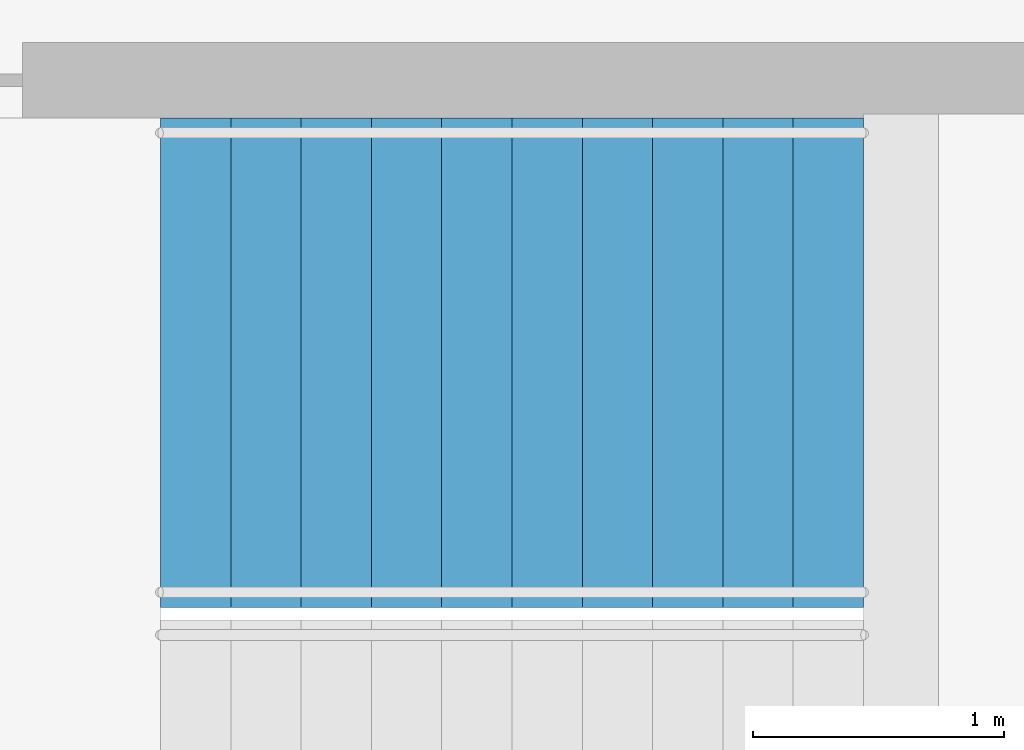
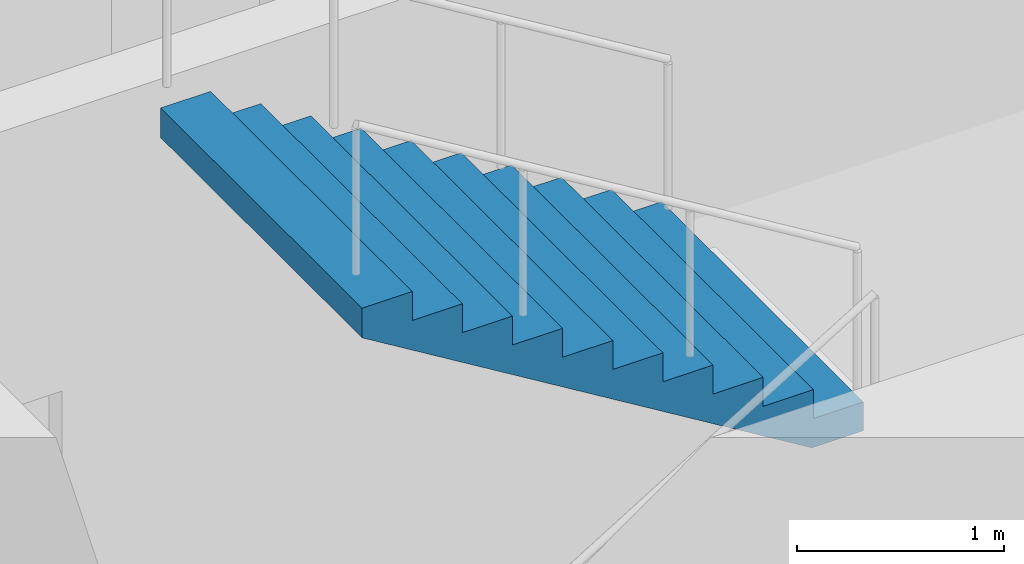
# One storey, part 23 of 28: 1 stair flight, 1 element without a shape of its own.
"""IFC4 building model written with IfcOpenShell, lengths in metres."""

from ifc_helpers import new_model, si_unit, direction, frame, origin, place, context, subcontext, project, spatial, triangles, material, type_object, element, aggregate, save


model = new_model("IFC4")

# Units and contexts
model_context = context("Model", 3, precision=1e-05, world=origin(), true_north=direction((0.0, 1.0)))
body_context = subcontext(model_context, "Body", "Model", "MODEL_VIEW")
ifc_project = project(units=[si_unit("LENGTHUNIT", "METRE"), si_unit("AREAUNIT", "SQUARE_METRE"), si_unit("VOLUMEUNIT", "CUBIC_METRE"), si_unit("PLANEANGLEUNIT", "RADIAN"), si_unit("MASSUNIT", "GRAM", prefix="KILO")], contexts=[model_context])

# Site, building, storey
site_placement = place(None, origin())
site = spatial("IfcSite", under=ifc_project, at=site_placement, CompositionType="ELEMENT")
building_placement = place(site_placement, origin())
building = spatial("IfcBuilding", under=site, at=building_placement, Name="Orbita Commons", CompositionType="ELEMENT")
storey_placement = place(building_placement, frame((0.0, 0.0, 38.949951171875)))
storey = spatial("IfcBuildingStorey", under=building, at=storey_placement, Name="L09", CompositionType="ELEMENT", Elevation=38.949951171875)

# Stair, stair flight
ifc_material_1 = material(Name="Precast concrete C40/50", Category="concrete")
stair_type = type_object("IfcStairType", Name="Exit stair S1 2 flights 11 risers 170", PredefinedType="HALF_TURN_STAIR", material=ifc_material_1)
stair_placement = place(storey_placement, origin())
stair = element("IfcStair", 1, at=stair_placement, inside=storey, type_object=stair_type, Name="Exit stair S1 L09", PredefinedType="HALF_TURN_STAIR")
ifc_material_2 = material(Name="Precast concrete C40/50", Category="concrete")
stair_flight_type = type_object("IfcStairFlightType", Name="Stair flight 11 risers 170 x 280", PredefinedType="STRAIGHT", material=ifc_material_2)
stair_flight_placement = place(storey_placement, frame((23.25, 29.27490234375, 1.875), z_axis=(0.0, 0.0, 1.0), x_axis=(-1.0, 0.0, 0.0)))
stair_flight = element("IfcStairFlight", 2, at=stair_flight_placement, type_object=stair_flight_type, Name="S1 flight 2", NumberOfRisers=11, NumberOfTreads=10, PredefinedType="STRAIGHT", RiserHeight=0.170454545, TreadLength=0.28, context=body_context, shape_type="Tessellation", body=[
    triangles([(0.0, 0.974976, 0.0), (0.0, 0.974976, 0.021307), (0.0, 0.81248, 0.021307), (0.0, 0.81248, 0.0), (0.0, 0.649984, 0.021307), (0.0, 0.649984, 0.0), (0.0, 0.487488, 0.021307), (0.0, 0.487488, 0.0), (0.0, 0.324992, 0.021307), (0.0, 0.324992, 0.0), (0.0, 0.162496, 0.021307), (0.0, 0.162496, 0.0), (0.0, 0.0, 0.021307), (0.0, 0.0, 0.0), (0.0, -0.162496, 0.021307), (0.0, -0.162496, 0.0), (0.0, -0.324992, 0.021307), (0.0, -0.324992, 0.0), (0.0, -0.487488, 0.021307), (0.0, -0.487488, 0.0), (0.0, -0.649984, 0.021307), (0.0, -0.649984, 0.0), (0.0, -0.81248, 0.021307), (0.0, -0.81248, 0.0), (0.0, -0.974976, 0.021307), (0.0, -0.974976, 0.0), (0.0, 0.974976, 0.042614), (0.0, 0.81248, 0.042614), (0.0, 0.649984, 0.042614), (0.0, 0.487488, 0.042614), (0.0, 0.324992, 0.042614), (0.0, 0.162496, 0.042614), (0.0, 0.0, 0.042614), (0.0, -0.162496, 0.042614), (0.0, -0.324992, 0.042614), (0.0, -0.487488, 0.042614), (0.0, -0.649984, 0.042614), (0.0, -0.81248, 0.042614), (0.0, -0.974976, 0.042614), (0.0, 0.974976, 0.06392), (0.0, 0.81248, 0.06392), (0.0, 0.649984, 0.06392), (0.0, 0.487488, 0.06392), (0.0, 0.324992, 0.06392), (0.0, 0.162496, 0.06392), (0.0, 0.0, 0.06392), (0.0, -0.162496, 0.06392), (0.0, -0.324992, 0.06392), (0.0, -0.487488, 0.06392), (0.0, -0.649984, 0.06392), (0.0, -0.81248, 0.06392), (0.0, -0.974976, 0.06392), (0.0, 0.974976, 0.085227), (0.0, 0.81248, 0.085227), (0.0, 0.649984, 0.085227), (0.0, 0.487488, 0.085227), (0.0, 0.324992, 0.085227), (0.0, 0.162496, 0.085227), (0.0, 0.0, 0.085227), (0.0, -0.162496, 0.085227), (0.0, -0.324992, 0.085227), (0.0, -0.487488, 0.085227), (0.0, -0.649984, 0.085227), (0.0, -0.81248, 0.085227), (0.0, -0.974976, 0.085227), (0.0, 0.974976, 0.106534), (0.0, 0.81248, 0.106534), (0.0, 0.649984, 0.106534), (0.0, 0.487488, 0.106534), (0.0, 0.324992, 0.106534), (0.0, 0.162496, 0.106534), (0.0, 0.0, 0.106534), (0.0, -0.162496, 0.106534), (0.0, -0.324992, 0.106534), (0.0, -0.487488, 0.106534), (0.0, -0.649984, 0.106534), (0.0, -0.81248, 0.106534), (0.0, -0.974976, 0.106534), (0.0, 0.974976, 0.127841), (0.0, 0.81248, 0.127841), (0.0, 0.649984, 0.127841), (0.0, 0.487488, 0.127841), (0.0, 0.324992, 0.127841), (0.0, 0.162496, 0.127841), (0.0, 0.0, 0.127841), (0.0, -0.162496, 0.127841), (0.0, -0.324992, 0.127841), (0.0, -0.487488, 0.127841), (0.0, -0.649984, 0.127841), (0.0, -0.81248, 0.127841), (0.0, -0.974976, 0.127841), (0.0, 0.974976, 0.149148), (0.0, 0.81248, 0.149148), (0.0, 0.649984, 0.149148), (0.0, 0.487488, 0.149148), (0.0, 0.324992, 0.149148), (0.0, 0.162496, 0.149148), (0.0, 0.0, 0.149148), (0.0, -0.162496, 0.149148), (0.0, -0.324992, 0.149148), (0.0, -0.487488, 0.149148), (0.0, -0.649984, 0.149148), (0.0, -0.81248, 0.149148), (0.0, -0.974976, 0.149148), (0.0, 0.974976, 0.170455), (0.0, 0.81248, 0.170455), (0.0, 0.649984, 0.170455), (0.0, 0.487488, 0.170455), (0.0, 0.324992, 0.170455), (0.0, 0.162496, 0.170455), (0.0, 0.0, 0.170455), (0.0, -0.162496, 0.170455), (0.0, -0.324992, 0.170455), (0.0, -0.487488, 0.170455), (0.0, -0.649984, 0.170455), (0.0, -0.81248, 0.170455), (0.0, -0.974976, 0.170455), (0.28, 0.974976, 0.170455), (0.28, 0.81248, 0.170455), (0.28, 0.649984, 0.170455), (0.28, 0.487488, 0.170455), (0.28, 0.324992, 0.170455), (0.28, 0.162496, 0.170455), (0.28, 0.0, 0.170455), (0.28, -0.162496, 0.170455), (0.28, -0.324992, 0.170455), (0.28, -0.487488, 0.170455), (0.28, -0.649984, 0.170455), (0.28, -0.81248, 0.170455), (0.28, -0.974976, 0.170455), (0.28, 0.974976, 0.340909), (0.28, 0.81248, 0.340909), (0.28, 0.649984, 0.340909), (0.28, 0.487488, 0.340909), (0.28, 0.324992, 0.340909), (0.28, 0.162496, 0.340909), (0.28, 0.0, 0.340909), (0.28, -0.162496, 0.340909), (0.28, -0.324992, 0.340909), (0.28, -0.487488, 0.340909), (0.28, -0.649984, 0.340909), (0.28, -0.81248, 0.340909), (0.28, -0.974976, 0.340909), (0.56, 0.974976, 0.340909), (0.56, 0.81248, 0.340909), (0.56, 0.649984, 0.340909), (0.56, 0.487488, 0.340909), (0.56, 0.324992, 0.340909), (0.56, 0.162496, 0.340909), (0.56, 0.0, 0.340909), (0.56, -0.162496, 0.340909), (0.56, -0.324992, 0.340909), (0.56, -0.487488, 0.340909), (0.56, -0.649984, 0.340909), (0.56, -0.81248, 0.340909), (0.56, -0.974976, 0.340909), (0.56, 0.974976, 0.511364), (0.56, 0.81248, 0.511364), (0.56, 0.649984, 0.511364), (0.56, 0.487488, 0.511364), (0.56, 0.324992, 0.511364), (0.56, 0.162496, 0.511364), (0.56, 0.0, 0.511364), (0.56, -0.162496, 0.511364), (0.56, -0.324992, 0.511364), (0.56, -0.487488, 0.511364), (0.56, -0.649984, 0.511364), (0.56, -0.81248, 0.511364), (0.56, -0.974976, 0.511364), (0.84, 0.974976, 0.511364), (0.84, 0.81248, 0.511364), (0.84, 0.649984, 0.511364), (0.84, 0.487488, 0.511364), (0.84, 0.324992, 0.511364), (0.84, 0.162496, 0.511364), (0.84, 0.0, 0.511364), (0.84, -0.162496, 0.511364), (0.84, -0.324992, 0.511364), (0.84, -0.487488, 0.511364), (0.84, -0.649984, 0.511364), (0.84, -0.81248, 0.511364), (0.84, -0.974976, 0.511364), (0.84, 0.974976, 0.681818), (0.84, 0.81248, 0.681818), (0.84, 0.649984, 0.681818), (0.84, 0.487488, 0.681818), (0.84, 0.324992, 0.681818), (0.84, 0.162496, 0.681818), (0.84, 0.0, 0.681818), (0.84, -0.162496, 0.681818), (0.84, -0.324992, 0.681818), (0.84, -0.487488, 0.681818), (0.84, -0.649984, 0.681818), (0.84, -0.81248, 0.681818), (0.84, -0.974976, 0.681818), (1.12, 0.974976, 0.681818), (1.12, 0.81248, 0.681818), (1.12, 0.649984, 0.681818), (1.12, 0.487488, 0.681818), (1.12, 0.324992, 0.681818), (1.12, 0.162496, 0.681818), (1.12, 0.0, 0.681818), (1.12, -0.162496, 0.681818), (1.12, -0.324992, 0.681818), (1.12, -0.487488, 0.681818), (1.12, -0.649984, 0.681818), (1.12, -0.81248, 0.681818), (1.12, -0.974976, 0.681818), (1.12, 0.974976, 0.852273), (1.12, 0.81248, 0.852273), (1.12, 0.649984, 0.852273), (1.12, 0.487488, 0.852273), (1.12, 0.324992, 0.852273), (1.12, 0.162496, 0.852273), (1.12, 0.0, 0.852273), (1.12, -0.162496, 0.852273), (1.12, -0.324992, 0.852273), (1.12, -0.487488, 0.852273), (1.12, -0.649984, 0.852273), (1.12, -0.81248, 0.852273), (1.12, -0.974976, 0.852273), (1.4, 0.974976, 0.852273), (1.4, 0.81248, 0.852273), (1.4, 0.649984, 0.852273), (1.4, 0.487488, 0.852273), (1.4, 0.324992, 0.852273), (1.4, 0.162496, 0.852273), (1.4, 0.0, 0.852273), (1.4, -0.162496, 0.852273), (1.4, -0.324992, 0.852273), (1.4, -0.487488, 0.852273), (1.4, -0.649984, 0.852273), (1.4, -0.81248, 0.852273), (1.4, -0.974976, 0.852273), (1.4, 0.974976, 1.022727), (1.4, 0.81248, 1.022727), (1.4, 0.649984, 1.022727), (1.4, 0.487488, 1.022727), (1.4, 0.324992, 1.022727), (1.4, 0.162496, 1.022727), (1.4, 0.0, 1.022727), (1.4, -0.162496, 1.022727), (1.4, -0.324992, 1.022727), (1.4, -0.487488, 1.022727), (1.4, -0.649984, 1.022727), (1.4, -0.81248, 1.022727), (1.4, -0.974976, 1.022727), (1.68, 0.974976, 1.022727), (1.68, 0.81248, 1.022727), (1.68, 0.649984, 1.022727), (1.68, 0.487488, 1.022727), (1.68, 0.324992, 1.022727), (1.68, 0.162496, 1.022727), (1.68, 0.0, 1.022727), (1.68, -0.162496, 1.022727), (1.68, -0.324992, 1.022727), (1.68, -0.487488, 1.022727), (1.68, -0.649984, 1.022727), (1.68, -0.81248, 1.022727), (1.68, -0.974976, 1.022727), (1.68, 0.974976, 1.193182), (1.68, 0.81248, 1.193182), (1.68, 0.649984, 1.193182), (1.68, 0.487488, 1.193182), (1.68, 0.324992, 1.193182), (1.68, 0.162496, 1.193182), (1.68, 0.0, 1.193182), (1.68, -0.162496, 1.193182), (1.68, -0.324992, 1.193182), (1.68, -0.487488, 1.193182), (1.68, -0.649984, 1.193182), (1.68, -0.81248, 1.193182), (1.68, -0.974976, 1.193182), (1.96, 0.974976, 1.193182), (1.96, 0.81248, 1.193182), (1.96, 0.649984, 1.193182), (1.96, 0.487488, 1.193182), (1.96, 0.324992, 1.193182), (1.96, 0.162496, 1.193182), (1.96, 0.0, 1.193182), (1.96, -0.162496, 1.193182), (1.96, -0.324992, 1.193182), (1.96, -0.487488, 1.193182), (1.96, -0.649984, 1.193182), (1.96, -0.81248, 1.193182), (1.96, -0.974976, 1.193182), (1.96, 0.974976, 1.363636), (1.96, 0.81248, 1.363636), (1.96, 0.649984, 1.363636), (1.96, 0.487488, 1.363636), (1.96, 0.324992, 1.363636), (1.96, 0.162496, 1.363636), (1.96, 0.0, 1.363636), (1.96, -0.162496, 1.363636), (1.96, -0.324992, 1.363636), (1.96, -0.487488, 1.363636), (1.96, -0.649984, 1.363636), (1.96, -0.81248, 1.363636), (1.96, -0.974976, 1.363636), (2.24, 0.974976, 1.363636), (2.24, 0.81248, 1.363636), (2.24, 0.649984, 1.363636), (2.24, 0.487488, 1.363636), (2.24, 0.324992, 1.363636), (2.24, 0.162496, 1.363636), (2.24, 0.0, 1.363636), (2.24, -0.162496, 1.363636), (2.24, -0.324992, 1.363636), (2.24, -0.487488, 1.363636), (2.24, -0.649984, 1.363636), (2.24, -0.81248, 1.363636), (2.24, -0.974976, 1.363636), (2.24, 0.974976, 1.534091), (2.24, 0.81248, 1.534091), (2.24, 0.649984, 1.534091), (2.24, 0.487488, 1.534091), (2.24, 0.324992, 1.534091), (2.24, 0.162496, 1.534091), (2.24, 0.0, 1.534091), (2.24, -0.162496, 1.534091), (2.24, -0.324992, 1.534091), (2.24, -0.487488, 1.534091), (2.24, -0.649984, 1.534091), (2.24, -0.81248, 1.534091), (2.24, -0.974976, 1.534091), (2.52, 0.974976, 1.534091), (2.52, 0.81248, 1.534091), (2.52, 0.649984, 1.534091), (2.52, 0.487488, 1.534091), (2.52, 0.324992, 1.534091), (2.52, 0.162496, 1.534091), (2.52, 0.0, 1.534091), (2.52, -0.162496, 1.534091), (2.52, -0.324992, 1.534091), (2.52, -0.487488, 1.534091), (2.52, -0.649984, 1.534091), (2.52, -0.81248, 1.534091), (2.52, -0.974976, 1.534091), (2.52, 0.974976, 1.704545), (2.52, 0.81248, 1.704545), (2.52, 0.649984, 1.704545), (2.52, 0.487488, 1.704545), (2.52, 0.324992, 1.704545), (2.52, 0.162496, 1.704545), (2.52, 0.0, 1.704545), (2.52, -0.162496, 1.704545), (2.52, -0.324992, 1.704545), (2.52, -0.487488, 1.704545), (2.52, -0.649984, 1.704545), (2.52, -0.81248, 1.704545), (2.52, -0.974976, 1.704545), (2.8, 0.974976, 1.704545), (2.8, 0.81248, 1.704545), (2.8, 0.649984, 1.704545), (2.8, 0.487488, 1.704545), (2.8, 0.324992, 1.704545), (2.8, 0.162496, 1.704545), (2.8, 0.0, 1.704545), (2.8, -0.162496, 1.704545), (2.8, -0.324992, 1.704545), (2.8, -0.487488, 1.704545), (2.8, -0.649984, 1.704545), (2.8, -0.81248, 1.704545), (2.8, -0.974976, 1.704545), (2.8, 0.974976, 1.682609), (2.8, 0.81248, 1.682609), (2.8, 0.649984, 1.682609), (2.8, 0.487488, 1.682609), (2.8, 0.324992, 1.682609), (2.8, 0.162496, 1.682609), (2.8, 0.0, 1.682609), (2.8, -0.162496, 1.682609), (2.8, -0.324992, 1.682609), (2.8, -0.487488, 1.682609), (2.8, -0.649984, 1.682609), (2.8, -0.81248, 1.682609), (2.8, -0.974976, 1.682609), (2.8, 0.974976, 1.660672), (2.8, 0.81248, 1.660672), (2.8, 0.649984, 1.660672), (2.8, 0.487488, 1.660672), (2.8, 0.324992, 1.660672), (2.8, 0.162496, 1.660672), (2.8, 0.0, 1.660672), (2.8, -0.162496, 1.660672), (2.8, -0.324992, 1.660672), (2.8, -0.487488, 1.660672), (2.8, -0.649984, 1.660672), (2.8, -0.81248, 1.660672), (2.8, -0.974976, 1.660672), (2.8, 0.974976, 1.638735), (2.8, 0.81248, 1.638735), (2.8, 0.649984, 1.638735), (2.8, 0.487488, 1.638735), (2.8, 0.324992, 1.638735), (2.8, 0.162496, 1.638735), (2.8, 0.0, 1.638735), (2.8, -0.162496, 1.638735), (2.8, -0.324992, 1.638735), (2.8, -0.487488, 1.638735), (2.8, -0.649984, 1.638735), (2.8, -0.81248, 1.638735), (2.8, -0.974976, 1.638735), (2.8, 0.974976, 1.616798), (2.8, 0.81248, 1.616798), (2.8, 0.649984, 1.616798), (2.8, 0.487488, 1.616798), (2.8, 0.324992, 1.616798), (2.8, 0.162496, 1.616798), (2.8, 0.0, 1.616798), (2.8, -0.162496, 1.616798), (2.8, -0.324992, 1.616798), (2.8, -0.487488, 1.616798), (2.8, -0.649984, 1.616798), (2.8, -0.81248, 1.616798), (2.8, -0.974976, 1.616798), (2.8, 0.974976, 1.594861), (2.8, 0.81248, 1.594861), (2.8, 0.649984, 1.594861), (2.8, 0.487488, 1.594861), (2.8, 0.324992, 1.594861), (2.8, 0.162496, 1.594861), (2.8, 0.0, 1.594861), (2.8, -0.162496, 1.594861), (2.8, -0.324992, 1.594861), (2.8, -0.487488, 1.594861), (2.8, -0.649984, 1.594861), (2.8, -0.81248, 1.594861), (2.8, -0.974976, 1.594861), (2.8, 0.974976, 1.572925), (2.8, 0.81248, 1.572925), (2.8, 0.649984, 1.572925), (2.8, 0.487488, 1.572925), (2.8, 0.324992, 1.572925), (2.8, 0.162496, 1.572925), (2.8, 0.0, 1.572925), (2.8, -0.162496, 1.572925), (2.8, -0.324992, 1.572925), (2.8, -0.487488, 1.572925), (2.8, -0.649984, 1.572925), (2.8, -0.81248, 1.572925), (2.8, -0.974976, 1.572925), (2.8, 0.974976, 1.550988), (2.8, 0.81248, 1.550988), (2.8, 0.649984, 1.550988), (2.8, 0.487488, 1.550988), (2.8, 0.324992, 1.550988), (2.8, 0.162496, 1.550988), (2.8, 0.0, 1.550988), (2.8, -0.162496, 1.550988), (2.8, -0.324992, 1.550988), (2.8, -0.487488, 1.550988), (2.8, -0.649984, 1.550988), (2.8, -0.81248, 1.550988), (2.8, -0.974976, 1.550988), (2.8, 0.974976, 1.529051), (2.8, 0.81248, 1.529051), (2.8, 0.649984, 1.529051), (2.8, 0.487488, 1.529051), (2.8, 0.324992, 1.529051), (2.8, 0.162496, 1.529051), (2.8, 0.0, 1.529051), (2.8, -0.162496, 1.529051), (2.8, -0.324992, 1.529051), (2.8, -0.487488, 1.529051), (2.8, -0.649984, 1.529051), (2.8, -0.81248, 1.529051), (2.8, -0.974976, 1.529051), (0.288279, 0.974976, 0.0), (0.288279, 0.81248, 0.0), (0.288279, 0.649984, 0.0), (0.288279, 0.487488, 0.0), (0.288279, 0.324992, 0.0), (0.288279, 0.162496, 0.0), (0.288279, 0.0, 0.0), (0.288279, -0.162496, 0.0), (0.288279, -0.324992, 0.0), (0.288279, -0.487488, 0.0), (0.288279, -0.649984, 0.0), (0.288279, -0.81248, 0.0), (0.288279, -0.974976, 0.0)], [[3, 2, 1], [4, 3, 1], [5, 3, 4], [6, 5, 4], [7, 5, 6], [8, 7, 6], [9, 7, 8], [10, 9, 8], [11, 9, 10], [12, 11, 10], [13, 11, 12], [14, 13, 12], [15, 13, 14], [16, 15, 14], [17, 15, 16], [18, 17, 16], [19, 17, 18], [20, 19, 18], [21, 19, 20], [22, 21, 20], [23, 21, 22], [24, 23, 22], [25, 23, 24], [26, 25, 24], [28, 27, 2], [3, 28, 2], [29, 28, 3], [5, 29, 3], [30, 29, 5], [7, 30, 5], [31, 30, 7], [9, 31, 7], [32, 31, 9], [11, 32, 9], [33, 32, 11], [13, 33, 11], [34, 33, 13], [15, 34, 13], [35, 34, 15], [17, 35, 15], [36, 35, 17], [19, 36, 17], [37, 36, 19], [21, 37, 19], [38, 37, 21], [23, 38, 21], [39, 38, 23], [25, 39, 23], [41, 40, 27], [28, 41, 27], [42, 41, 28], [29, 42, 28], [43, 42, 29], [30, 43, 29], [44, 43, 30], [31, 44, 30], [45, 44, 31], [32, 45, 31], [46, 45, 32], [33, 46, 32], [47, 46, 33], [34, 47, 33], [48, 47, 34], [35, 48, 34], [49, 48, 35], [36, 49, 35], [50, 49, 36], [37, 50, 36], [51, 50, 37], [38, 51, 37], [52, 51, 38], [39, 52, 38], [54, 53, 40], [41, 54, 40], [55, 54, 41], [42, 55, 41], [56, 55, 42], [43, 56, 42], [57, 56, 43], [44, 57, 43], [58, 57, 44], [45, 58, 44], [59, 58, 45], [46, 59, 45], [60, 59, 46], [47, 60, 46], [61, 60, 47], [48, 61, 47], [62, 61, 48], [49, 62, 48], [63, 62, 49], [50, 63, 49], [64, 63, 50], [51, 64, 50], [65, 64, 51], [52, 65, 51], [67, 66, 53], [54, 67, 53], [68, 67, 54], [55, 68, 54], [69, 68, 55], [56, 69, 55], [70, 69, 56], [57, 70, 56], [71, 70, 57], [58, 71, 57], [72, 71, 58], [59, 72, 58], [73, 72, 59], [60, 73, 59], [74, 73, 60], [61, 74, 60], [75, 74, 61], [62, 75, 61], [76, 75, 62], [63, 76, 62], [77, 76, 63], [64, 77, 63], [78, 77, 64], [65, 78, 64], [80, 79, 66], [67, 80, 66], [81, 80, 67], [68, 81, 67], [82, 81, 68], [69, 82, 68], [83, 82, 69], [70, 83, 69], [84, 83, 70], [71, 84, 70], [85, 84, 71], [72, 85, 71], [86, 85, 72], [73, 86, 72], [87, 86, 73], [74, 87, 73], [88, 87, 74], [75, 88, 74], [89, 88, 75], [76, 89, 75], [90, 89, 76], [77, 90, 76], [91, 90, 77], [78, 91, 77], [93, 92, 79], [80, 93, 79], [94, 93, 80], [81, 94, 80], [95, 94, 81], [82, 95, 81], [96, 95, 82], [83, 96, 82], [97, 96, 83], [84, 97, 83], [98, 97, 84], [85, 98, 84], [99, 98, 85], [86, 99, 85], [100, 99, 86], [87, 100, 86], [101, 100, 87], [88, 101, 87], [102, 101, 88], [89, 102, 88], [103, 102, 89], [90, 103, 89], [104, 103, 90], [91, 104, 90], [106, 105, 92], [93, 106, 92], [107, 106, 93], [94, 107, 93], [108, 107, 94], [95, 108, 94], [109, 108, 95], [96, 109, 95], [110, 109, 96], [97, 110, 96], [111, 110, 97], [98, 111, 97], [112, 111, 98], [99, 112, 98], [113, 112, 99], [100, 113, 99], [114, 113, 100], [101, 114, 100], [115, 114, 101], [102, 115, 101], [116, 115, 102], [103, 116, 102], [117, 116, 103], [104, 117, 103], [119, 118, 105], [106, 119, 105], [120, 119, 106], [107, 120, 106], [121, 120, 107], [108, 121, 107], [122, 121, 108], [109, 122, 108], [123, 122, 109], [110, 123, 109], [124, 123, 110], [111, 124, 110], [125, 124, 111], [112, 125, 111], [126, 125, 112], [113, 126, 112], [127, 126, 113], [114, 127, 113], [128, 127, 114], [115, 128, 114], [129, 128, 115], [116, 129, 115], [130, 129, 116], [117, 130, 116], [132, 131, 118], [119, 132, 118], [133, 132, 119], [120, 133, 119], [134, 133, 120], [121, 134, 120], [135, 134, 121], [122, 135, 121], [136, 135, 122], [123, 136, 122], [137, 136, 123], [124, 137, 123], [138, 137, 124], [125, 138, 124], [139, 138, 125], [126, 139, 125], [140, 139, 126], [127, 140, 126], [141, 140, 127], [128, 141, 127], [142, 141, 128], [129, 142, 128], [143, 142, 129], [130, 143, 129], [145, 144, 131], [132, 145, 131], [146, 145, 132], [133, 146, 132], [147, 146, 133], [134, 147, 133], [148, 147, 134], [135, 148, 134], [149, 148, 135], [136, 149, 135], [150, 149, 136], [137, 150, 136], [151, 150, 137], [138, 151, 137], [152, 151, 138], [139, 152, 138], [153, 152, 139], [140, 153, 139], [154, 153, 140], [141, 154, 140], [155, 154, 141], [142, 155, 141], [156, 155, 142], [143, 156, 142], [158, 157, 144], [145, 158, 144], [159, 158, 145], [146, 159, 145], [160, 159, 146], [147, 160, 146], [161, 160, 147], [148, 161, 147], [162, 161, 148], [149, 162, 148], [163, 162, 149], [150, 163, 149], [164, 163, 150], [151, 164, 150], [165, 164, 151], [152, 165, 151], [166, 165, 152], [153, 166, 152], [167, 166, 153], [154, 167, 153], [168, 167, 154], [155, 168, 154], [169, 168, 155], [156, 169, 155], [171, 170, 157], [158, 171, 157], [172, 171, 158], [159, 172, 158], [173, 172, 159], [160, 173, 159], [174, 173, 160], [161, 174, 160], [175, 174, 161], [162, 175, 161], [176, 175, 162], [163, 176, 162], [177, 176, 163], [164, 177, 163], [178, 177, 164], [165, 178, 164], [179, 178, 165], [166, 179, 165], [180, 179, 166], [167, 180, 166], [181, 180, 167], [168, 181, 167], [182, 181, 168], [169, 182, 168], [184, 183, 170], [171, 184, 170], [185, 184, 171], [172, 185, 171], [186, 185, 172], [173, 186, 172], [187, 186, 173], [174, 187, 173], [188, 187, 174], [175, 188, 174], [189, 188, 175], [176, 189, 175], [190, 189, 176], [177, 190, 176], [191, 190, 177], [178, 191, 177], [192, 191, 178], [179, 192, 178], [193, 192, 179], [180, 193, 179], [194, 193, 180], [181, 194, 180], [195, 194, 181], [182, 195, 181], [197, 196, 183], [184, 197, 183], [198, 197, 184], [185, 198, 184], [199, 198, 185], [186, 199, 185], [200, 199, 186], [187, 200, 186], [201, 200, 187], [188, 201, 187], [202, 201, 188], [189, 202, 188], [203, 202, 189], [190, 203, 189], [204, 203, 190], [191, 204, 190], [205, 204, 191], [192, 205, 191], [206, 205, 192], [193, 206, 192], [207, 206, 193], [194, 207, 193], [208, 207, 194], [195, 208, 194], [210, 209, 196], [197, 210, 196], [211, 210, 197], [198, 211, 197], [212, 211, 198], [199, 212, 198], [213, 212, 199], [200, 213, 199], [214, 213, 200], [201, 214, 200], [215, 214, 201], [202, 215, 201], [216, 215, 202], [203, 216, 202], [217, 216, 203], [204, 217, 203], [218, 217, 204], [205, 218, 204], [219, 218, 205], [206, 219, 205], [220, 219, 206], [207, 220, 206], [221, 220, 207], [208, 221, 207], [223, 222, 209], [210, 223, 209], [224, 223, 210], [211, 224, 210], [225, 224, 211], [212, 225, 211], [226, 225, 212], [213, 226, 212], [227, 226, 213], [214, 227, 213], [228, 227, 214], [215, 228, 214], [229, 228, 215], [216, 229, 215], [230, 229, 216], [217, 230, 216], [231, 230, 217], [218, 231, 217], [232, 231, 218], [219, 232, 218], [233, 232, 219], [220, 233, 219], [234, 233, 220], [221, 234, 220], [236, 235, 222], [223, 236, 222], [237, 236, 223], [224, 237, 223], [238, 237, 224], [225, 238, 224], [239, 238, 225], [226, 239, 225], [240, 239, 226], [227, 240, 226], [241, 240, 227], [228, 241, 227], [242, 241, 228], [229, 242, 228], [243, 242, 229], [230, 243, 229], [244, 243, 230], [231, 244, 230], [245, 244, 231], [232, 245, 231], [246, 245, 232], [233, 246, 232], [247, 246, 233], [234, 247, 233], [249, 248, 235], [236, 249, 235], [250, 249, 236], [237, 250, 236], [251, 250, 237], [238, 251, 237], [252, 251, 238], [239, 252, 238], [253, 252, 239], [240, 253, 239], [254, 253, 240], [241, 254, 240], [255, 254, 241], [242, 255, 241], [256, 255, 242], [243, 256, 242], [257, 256, 243], [244, 257, 243], [258, 257, 244], [245, 258, 244], [259, 258, 245], [246, 259, 245], [260, 259, 246], [247, 260, 246], [262, 261, 248], [249, 262, 248], [263, 262, 249], [250, 263, 249], [264, 263, 250], [251, 264, 250], [265, 264, 251], [252, 265, 251], [266, 265, 252], [253, 266, 252], [267, 266, 253], [254, 267, 253], [268, 267, 254], [255, 268, 254], [269, 268, 255], [256, 269, 255], [270, 269, 256], [257, 270, 256], [271, 270, 257], [258, 271, 257], [272, 271, 258], [259, 272, 258], [273, 272, 259], [260, 273, 259], [275, 274, 261], [262, 275, 261], [276, 275, 262], [263, 276, 262], [277, 276, 263], [264, 277, 263], [278, 277, 264], [265, 278, 264], [279, 278, 265], [266, 279, 265], [280, 279, 266], [267, 280, 266], [281, 280, 267], [268, 281, 267], [282, 281, 268], [269, 282, 268], [283, 282, 269], [270, 283, 269], [284, 283, 270], [271, 284, 270], [285, 284, 271], [272, 285, 271], [286, 285, 272], [273, 286, 272], [288, 287, 274], [275, 288, 274], [289, 288, 275], [276, 289, 275], [290, 289, 276], [277, 290, 276], [291, 290, 277], [278, 291, 277], [292, 291, 278], [279, 292, 278], [293, 292, 279], [280, 293, 279], [294, 293, 280], [281, 294, 280], [295, 294, 281], [282, 295, 281], [296, 295, 282], [283, 296, 282], [297, 296, 283], [284, 297, 283], [298, 297, 284], [285, 298, 284], [299, 298, 285], [286, 299, 285], [301, 300, 287], [288, 301, 287], [302, 301, 288], [289, 302, 288], [303, 302, 289], [290, 303, 289], [304, 303, 290], [291, 304, 290], [305, 304, 291], [292, 305, 291], [306, 305, 292], [293, 306, 292], [307, 306, 293], [294, 307, 293], [308, 307, 294], [295, 308, 294], [309, 308, 295], [296, 309, 295], [310, 309, 296], [297, 310, 296], [311, 310, 297], [298, 311, 297], [312, 311, 298], [299, 312, 298], [314, 313, 300], [301, 314, 300], [315, 314, 301], [302, 315, 301], [316, 315, 302], [303, 316, 302], [317, 316, 303], [304, 317, 303], [318, 317, 304], [305, 318, 304], [319, 318, 305], [306, 319, 305], [320, 319, 306], [307, 320, 306], [321, 320, 307], [308, 321, 307], [322, 321, 308], [309, 322, 308], [323, 322, 309], [310, 323, 309], [324, 323, 310], [311, 324, 310], [325, 324, 311], [312, 325, 311], [327, 326, 313], [314, 327, 313], [328, 327, 314], [315, 328, 314], [329, 328, 315], [316, 329, 315], [330, 329, 316], [317, 330, 316], [331, 330, 317], [318, 331, 317], [332, 331, 318], [319, 332, 318], [333, 332, 319], [320, 333, 319], [334, 333, 320], [321, 334, 320], [335, 334, 321], [322, 335, 321], [336, 335, 322], [323, 336, 322], [337, 336, 323], [324, 337, 323], [338, 337, 324], [325, 338, 324], [340, 339, 326], [327, 340, 326], [341, 340, 327], [328, 341, 327], [342, 341, 328], [329, 342, 328], [343, 342, 329], [330, 343, 329], [344, 343, 330], [331, 344, 330], [345, 344, 331], [332, 345, 331], [346, 345, 332], [333, 346, 332], [347, 346, 333], [334, 347, 333], [348, 347, 334], [335, 348, 334], [349, 348, 335], [336, 349, 335], [350, 349, 336], [337, 350, 336], [351, 350, 337], [338, 351, 337], [353, 352, 339], [340, 353, 339], [354, 353, 340], [341, 354, 340], [355, 354, 341], [342, 355, 341], [356, 355, 342], [343, 356, 342], [357, 356, 343], [344, 357, 343], [358, 357, 344], [345, 358, 344], [359, 358, 345], [346, 359, 345], [360, 359, 346], [347, 360, 346], [361, 360, 347], [348, 361, 347], [362, 361, 348], [349, 362, 348], [363, 362, 349], [350, 363, 349], [364, 363, 350], [351, 364, 350], [366, 365, 352], [353, 366, 352], [367, 366, 353], [354, 367, 353], [368, 367, 354], [355, 368, 354], [369, 368, 355], [356, 369, 355], [370, 369, 356], [357, 370, 356], [371, 370, 357], [358, 371, 357], [372, 371, 358], [359, 372, 358], [373, 372, 359], [360, 373, 359], [374, 373, 360], [361, 374, 360], [375, 374, 361], [362, 375, 361], [376, 375, 362], [363, 376, 362], [377, 376, 363], [364, 377, 363], [379, 378, 365], [366, 379, 365], [380, 379, 366], [367, 380, 366], [381, 380, 367], [368, 381, 367], [382, 381, 368], [369, 382, 368], [383, 382, 369], [370, 383, 369], [384, 383, 370], [371, 384, 370], [385, 384, 371], [372, 385, 371], [386, 385, 372], [373, 386, 372], [387, 386, 373], [374, 387, 373], [388, 387, 374], [375, 388, 374], [389, 388, 375], [376, 389, 375], [390, 389, 376], [377, 390, 376], [392, 391, 378], [379, 392, 378], [393, 392, 379], [380, 393, 379], [394, 393, 380], [381, 394, 380], [395, 394, 381], [382, 395, 381], [396, 395, 382], [383, 396, 382], [397, 396, 383], [384, 397, 383], [398, 397, 384], [385, 398, 384], [399, 398, 385], [386, 399, 385], [400, 399, 386], [387, 400, 386], [401, 400, 387], [388, 401, 387], [402, 401, 388], [389, 402, 388], [403, 402, 389], [390, 403, 389], [405, 404, 391], [392, 405, 391], [406, 405, 392], [393, 406, 392], [407, 406, 393], [394, 407, 393], [408, 407, 394], [395, 408, 394], [409, 408, 395], [396, 409, 395], [410, 409, 396], [397, 410, 396], [411, 410, 397], [398, 411, 397], [412, 411, 398], [399, 412, 398], [413, 412, 399], [400, 413, 399], [414, 413, 400], [401, 414, 400], [415, 414, 401], [402, 415, 401], [416, 415, 402], [403, 416, 402], [418, 417, 404], [405, 418, 404], [419, 418, 405], [406, 419, 405], [420, 419, 406], [407, 420, 406], [421, 420, 407], [408, 421, 407], [422, 421, 408], [409, 422, 408], [423, 422, 409], [410, 423, 409], [424, 423, 410], [411, 424, 410], [425, 424, 411], [412, 425, 411], [426, 425, 412], [413, 426, 412], [427, 426, 413], [414, 427, 413], [428, 427, 414], [415, 428, 414], [429, 428, 415], [416, 429, 415], [431, 430, 417], [418, 431, 417], [432, 431, 418], [419, 432, 418], [433, 432, 419], [420, 433, 419], [434, 433, 420], [421, 434, 420], [435, 434, 421], [422, 435, 421], [436, 435, 422], [423, 436, 422], [437, 436, 423], [424, 437, 423], [438, 437, 424], [425, 438, 424], [439, 438, 425], [426, 439, 425], [440, 439, 426], [427, 440, 426], [441, 440, 427], [428, 441, 427], [442, 441, 428], [429, 442, 428], [444, 443, 430], [431, 444, 430], [445, 444, 431], [432, 445, 431], [446, 445, 432], [433, 446, 432], [447, 446, 433], [434, 447, 433], [448, 447, 434], [435, 448, 434], [449, 448, 435], [436, 449, 435], [450, 449, 436], [437, 450, 436], [451, 450, 437], [438, 451, 437], [452, 451, 438], [439, 452, 438], [453, 452, 439], [440, 453, 439], [454, 453, 440], [441, 454, 440], [455, 454, 441], [442, 455, 441], [457, 456, 443], [444, 457, 443], [458, 457, 444], [445, 458, 444], [459, 458, 445], [446, 459, 445], [460, 459, 446], [447, 460, 446], [461, 460, 447], [448, 461, 447], [462, 461, 448], [449, 462, 448], [463, 462, 449], [450, 463, 449], [464, 463, 450], [451, 464, 450], [465, 464, 451], [452, 465, 451], [466, 465, 452], [453, 466, 452], [467, 466, 453], [454, 467, 453], [468, 467, 454], [455, 468, 454], [470, 469, 456], [457, 470, 456], [471, 470, 457], [458, 471, 457], [472, 471, 458], [459, 472, 458], [473, 472, 459], [460, 473, 459], [474, 473, 460], [461, 474, 460], [475, 474, 461], [462, 475, 461], [476, 475, 462], [463, 476, 462], [477, 476, 463], [464, 477, 463], [478, 477, 464], [465, 478, 464], [479, 478, 465], [466, 479, 465], [480, 479, 466], [467, 480, 466], [481, 480, 467], [468, 481, 467], [4, 1, 469], [470, 4, 469], [6, 4, 470], [471, 6, 470], [8, 6, 471], [472, 8, 471], [10, 8, 472], [473, 10, 472], [12, 10, 473], [474, 12, 473], [14, 12, 474], [475, 14, 474], [16, 14, 475], [476, 16, 475], [18, 16, 476], [477, 18, 476], [20, 18, 477], [478, 20, 477], [22, 20, 478], [479, 22, 478], [24, 22, 479], [480, 24, 479], [26, 24, 480], [481, 26, 480], [456, 469, 1], [26, 481, 468], [443, 456, 1], [26, 468, 455], [430, 443, 1], [26, 455, 442], [417, 430, 1], [26, 442, 429], [404, 417, 1], [26, 429, 416], [391, 404, 1], [26, 416, 403], [378, 391, 1], [26, 403, 390], [365, 378, 1], [26, 390, 377], [339, 352, 365], [377, 364, 351], [326, 339, 365], [377, 351, 338], [300, 313, 326], [338, 325, 312], [300, 326, 365], [377, 338, 312], [274, 287, 300], [312, 299, 286], [274, 300, 365], [377, 312, 286], [248, 261, 274], [286, 273, 260], [248, 274, 365], [377, 286, 260], [222, 235, 248], [260, 247, 234], [222, 248, 365], [377, 260, 234], [196, 209, 222], [234, 221, 208], [196, 222, 365], [377, 234, 208], [170, 183, 196], [208, 195, 182], [170, 196, 365], [377, 208, 182], [144, 157, 170], [182, 169, 156], [144, 170, 365], [377, 182, 156], [118, 131, 144], [156, 143, 130], [118, 144, 365], [377, 156, 130], [118, 365, 1], [26, 377, 130], [92, 105, 118], [130, 117, 104], [79, 92, 118], [130, 104, 91], [66, 79, 118], [130, 91, 78], [53, 66, 118], [130, 78, 65], [40, 53, 118], [130, 65, 52], [27, 40, 118], [130, 52, 39], [2, 27, 118], [130, 39, 25], [1, 2, 118], [130, 25, 26]], closed=True),
])
aggregate(stair, [stair_flight])

save(model, "model.ifc")
